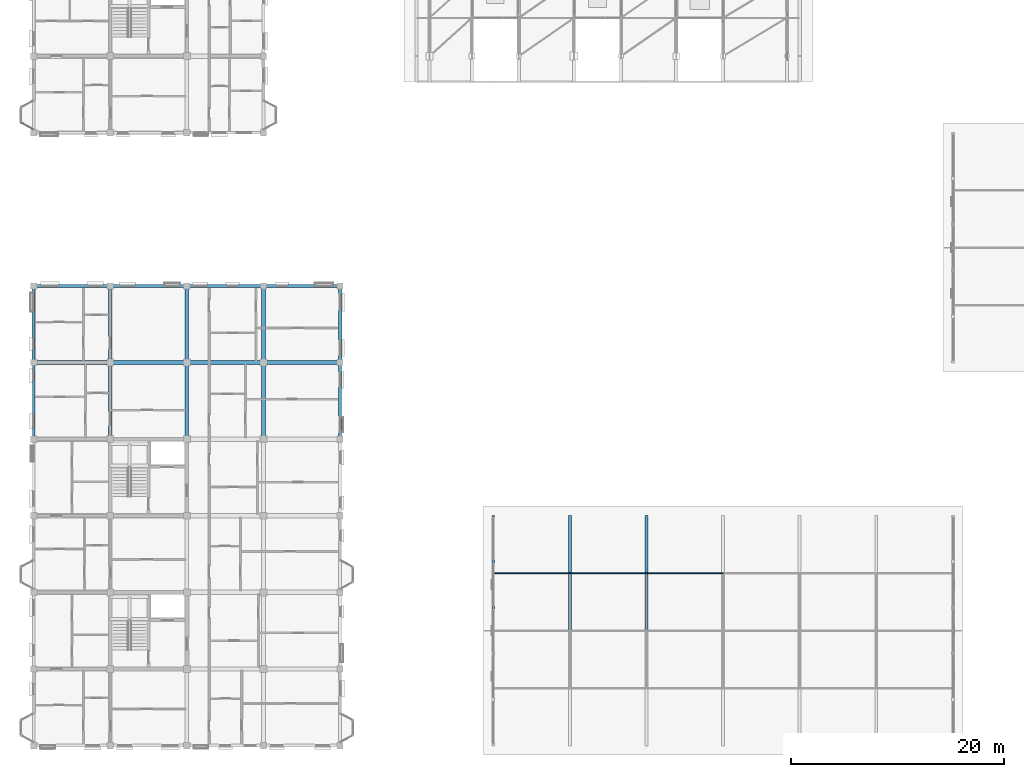
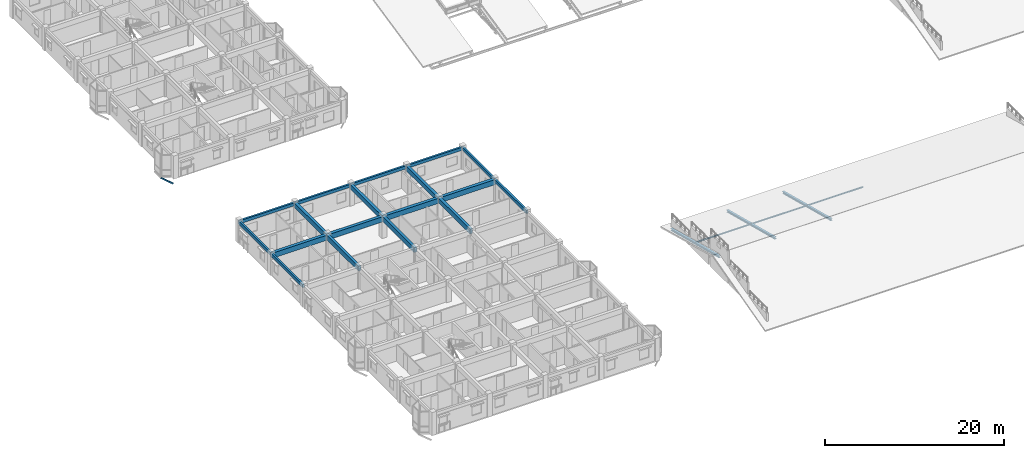
# One storey, part 16 of 124: 18 beams, 7 members.
"""IFC4 building model written with IfcOpenShell, lengths in metres."""

import ifcopenshell
import ifcopenshell.guid

model = None  # the IFC model being written
_history = None  # IfcOwnerHistory: only IFC2X3 demands one
_inside = {}  # id of a spatial element -> (the spatial element, [elements in it])
_under = {}  # id of a project, library or spatial element -> (it, [spatial elements below it])
_declared = {}  # id of a project -> (the project, [libraries it declares])
_typed = {}  # id of a type object -> (the type object, [elements of that type])
_made_of = {}  # id of a material, layer set ... -> (it, [elements and type objects made of it])


def new_model(schema):
    """Start an empty IFC model of exactly this schema.

    Asked for "IFC4X3", IfcOpenShell would pick the latest addendum, in which some entities
    have other attributes; the version numbers below select the first issue.
    IFC2X3 requires an IfcOwnerHistory on every rooted entity: one is made here for all.
    """
    global model, _history
    if schema == "IFC4X3":
        model = ifcopenshell.file(schema_version=(4, 3, 0, 0))
    else:
        model = ifcopenshell.file(schema=schema)
    _inside.clear()
    _under.clear()
    _declared.clear()
    _typed.clear()
    _made_of.clear()
    _history = None
    if model.schema == "IFC2X3":
        org = make("IfcOrganization", Name="unknown")
        user = make(
            "IfcPersonAndOrganization",
            ThePerson=make("IfcPerson", FamilyName="unknown"),
            TheOrganization=org,
        )
        app = make(
            "IfcApplication",
            ApplicationDeveloper=org,
            Version="unknown",
            ApplicationFullName="unknown",
            ApplicationIdentifier="unknown",
        )
        _history = make(
            "IfcOwnerHistory",
            OwningUser=user,
            OwningApplication=app,
            ChangeAction="ADDED",
            CreationDate=0,
        )
    return model


def make(cls, **values):
    """One entity of the class cls with the attributes given. An attribute that is None is left unset."""
    return model.create_entity(
        cls, **{name: value for name, value in values.items() if value is not None}
    )


def rooted(cls, **values):
    """An entity with a GlobalId (a new one), such as an element, a storey or a relation."""
    return make(cls, GlobalId=ifcopenshell.guid.new(), OwnerHistory=_history, **values)


def si_unit(unit_type, name, prefix=None):
    """IfcSIUnit, for example si_unit("LENGTHUNIT", "METRE", prefix="MILLI")."""
    return make("IfcSIUnit", UnitType=unit_type, Prefix=prefix, Name=name)


def assignment(units):
    """IfcUnitAssignment: the units of a project."""
    return None if units is None else make("IfcUnitAssignment", Units=units)


def point(xyz):
    """IfcCartesianPoint."""
    return None if xyz is None else make("IfcCartesianPoint", Coordinates=xyz)


def direction(xyz):
    """IfcDirection."""
    return None if xyz is None else make("IfcDirection", DirectionRatios=xyz)


def frame(location, z_axis=None, x_axis=None):
    """IfcAxis2Placement3D, a coordinate frame: its origin and axes. An axis left out is left unset."""
    return make(
        "IfcAxis2Placement3D",
        Location=point(location),
        Axis=direction(z_axis),
        RefDirection=direction(x_axis),
    )


def frame_2d(location, x_axis=None):
    """IfcAxis2Placement2D, a coordinate frame in the plane: its origin and x axis."""
    return make(
        "IfcAxis2Placement2D", Location=point(location), RefDirection=direction(x_axis)
    )


def origin():
    """The frame at (0, 0, 0) with its axes left unset."""
    return frame((0.0, 0.0, 0.0))


def origin_2d():
    """The frame at (0, 0) in the plane with its x axis left unset."""
    return frame_2d((0.0, 0.0))


def place(relative_to, where):
    """IfcLocalPlacement: puts the frame where relative to a parent placement (None: the world)."""
    return make(
        "IfcLocalPlacement", PlacementRelTo=relative_to, RelativePlacement=where
    )


def context(
    kind, dimensions, precision=None, world=None, true_north=None, identifier=None
):
    """IfcGeometricRepresentationContext, for example the 3D "Model" context."""
    return make(
        "IfcGeometricRepresentationContext",
        ContextIdentifier=identifier,
        ContextType=kind,
        CoordinateSpaceDimension=dimensions,
        Precision=precision,
        WorldCoordinateSystem=world,
        TrueNorth=true_north,
    )


def subcontext(parent, identifier, kind, view, scale=None):
    """IfcGeometricRepresentationSubContext, for example "Body" below "Model"."""
    return make(
        "IfcGeometricRepresentationSubContext",
        ContextIdentifier=identifier,
        ContextType=kind,
        ParentContext=parent,
        TargetScale=scale,
        TargetView=view,
    )


def project(units=None, contexts=None):
    """IfcProject with its units and contexts."""
    return rooted(
        "IfcProject",
        Name="project",
        RepresentationContexts=contexts,
        UnitsInContext=assignment(units),
    )


def spatial(cls, under=None, at=None, **own):
    """A site, building, storey or space (cls), placed at a placement, below another one or the project."""
    s = rooted(cls, ObjectPlacement=at, **own)
    if under is not None:
        _under.setdefault(under.id(), (under, []))[1].append(s)
    return s


def profile(cls, at=None, kind="AREA", **sizes):
    """A parametric profile (cls). Its sizes go by their IFC names, for example OverallWidth=200.0."""
    return make(cls, ProfileType=kind, Position=at, **sizes)


def rectangle(**sizes):
    """IfcRectangleProfileDef."""
    return profile("IfcRectangleProfileDef", **sizes)


def hollow_rectangle(**sizes):
    """IfcRectangleHollowProfileDef."""
    return profile("IfcRectangleHollowProfileDef", **sizes)


def i_section(**sizes):
    """IfcIShapeProfileDef."""
    return profile("IfcIShapeProfileDef", **sizes)


def extrude(swept, where, along, depth):
    """IfcExtrudedAreaSolid: the profile swept, set in the frame where, extruded along a direction by depth."""
    return make(
        "IfcExtrudedAreaSolid",
        SweptArea=swept,
        Position=where,
        ExtrudedDirection=direction(along),
        Depth=depth,
    )


def shape(context_of_items, identifier, shape_type, items):
    """IfcShapeRepresentation: the items that make up one representation, for example the "Body"."""
    return make(
        "IfcShapeRepresentation",
        ContextOfItems=context_of_items,
        RepresentationIdentifier=identifier,
        RepresentationType=shape_type,
        Items=items,
    )


def material(Name=None, Category=None):
    """IfcMaterial."""
    return make("IfcMaterial", Name=Name, Category=Category)


def material_profile(
    of_material, cross_section, Name=None, Category=None, Priority=None
):
    """IfcMaterialProfile: a cross section and its material."""
    return make(
        "IfcMaterialProfile",
        Name=Name,
        Material=of_material,
        Profile=cross_section,
        Priority=Priority,
        Category=Category,
    )


def profile_set(profiles, Name=None, composite=None):
    """IfcMaterialProfileSet."""
    return make(
        "IfcMaterialProfileSet",
        Name=Name,
        MaterialProfiles=profiles,
        CompositeProfile=composite,
    )


def made_of(thing, what):
    """Note that an element or type object is made of a material, layer set ...; save() writes the relation."""
    if what is not None:
        _made_of.setdefault(what.id(), (what, []))[1].append(thing)
    return thing


def type_object(cls, material=None, **own):
    """A type object (cls), such as IfcWallType, which elements share."""
    return made_of(rooted(cls, **own), material)


def element(
    cls,
    number,
    at=None,
    inside=None,
    cuts=None,
    type_object=None,
    material=None,
    context=None,
    identifier="Body",
    shape_type=None,
    held_by="IfcProductDefinitionShape",
    body=None,
    shapes=None,
    **own,
):
    """One element of the class cls, such as IfcWall. Its Tag is "e" and its number.

    at: its placement. inside: the storey or other place that contains it. cuts: it is an
    opening in that element (IfcRelVoidsElement). A single representation is given by context,
    identifier, shape_type and body (its items); several are given by shapes. held_by: the class
    of the entity that holds the representations. save() writes the other relations.
    """
    e = rooted(cls, Tag="e%d" % number, ObjectPlacement=at, **own)
    if body is not None:
        shapes = [shape(context, identifier, shape_type, body)]
    if shapes is not None:
        e.Representation = make(held_by, Representations=shapes)
    if inside is not None:
        _inside.setdefault(inside.id(), (inside, []))[1].append(e)
    if cuts is not None:
        rooted(
            "IfcRelVoidsElement", RelatingBuildingElement=cuts, RelatedOpeningElement=e
        )
    if type_object is not None:
        _typed.setdefault(type_object.id(), (type_object, []))[1].append(e)
    return made_of(e, material)


def aggregate(whole, parts):
    """IfcRelAggregates: a whole, such as a stair, and the parts it consists of."""
    return rooted("IfcRelAggregates", RelatingObject=whole, RelatedObjects=parts)


def save(model, path):
    """Write the relations noted so far, then the file.

    IfcRelAggregates (storeys below a building ...), IfcRelContainedInSpatialStructure (elements
    in a storey), IfcRelDefinesByType, IfcRelAssociatesMaterial and IfcRelDeclares: one each for
    every whole, place, type object, material and project.
    """
    for whole, parts in _under.values():
        aggregate(whole, parts)
    for where, things in _inside.values():
        rooted(
            "IfcRelContainedInSpatialStructure",
            RelatedElements=things,
            RelatingStructure=where,
        )
    for kind, things in _typed.values():
        rooted("IfcRelDefinesByType", RelatedObjects=things, RelatingType=kind)
    for what, things in _made_of.values():
        rooted("IfcRelAssociatesMaterial", RelatedObjects=things, RelatingMaterial=what)
    for by, libraries in _declared.values():
        rooted("IfcRelDeclares", RelatingContext=by, RelatedDefinitions=libraries)
    model.write(path)


model = new_model("IFC4")

# Units and contexts
model_context = context("Model", 3, precision=1e-05, world=origin(), true_north=direction((0.0, 1.0)))
body_context = subcontext(model_context, "Body", "Model", "MODEL_VIEW")
ifc_project = project(units=[si_unit("LENGTHUNIT", "METRE"), si_unit("AREAUNIT", "SQUARE_METRE"), si_unit("VOLUMEUNIT", "CUBIC_METRE"), si_unit("PLANEANGLEUNIT", "RADIAN"), si_unit("MASSUNIT", "GRAM", prefix="KILO"), si_unit("THERMODYNAMICTEMPERATUREUNIT", "KELVIN"), si_unit("POWERUNIT", "WATT")], contexts=[model_context])

# Site, building, storey
site_placement = place(None, origin())
site = spatial("IfcSite", under=ifc_project, at=site_placement, CompositionType="ELEMENT")
building_placement = place(site_placement, origin())
building = spatial("IfcBuilding", under=site, at=building_placement, Name="Tavuni Mirador Residences", CompositionType="ELEMENT")
storey_placement = place(building_placement, frame((0.0, 0.0, 7.64990234375)))
storey = spatial("IfcBuildingStorey", under=building, at=storey_placement, Name="L02", CompositionType="ELEMENT", Elevation=7.64990234375)

# Beams
ifc_material_1 = material(Name="Precast concrete C40/50", Category="concrete")
ifc_material_profile_1 = material_profile(ifc_material_1, rectangle(XDim=0.35009765625, YDim=0.64990234375, at=origin_2d()), Name="PC 350x650", Category="concrete")
ifc_profile_set_1 = profile_set([ifc_material_profile_1], Name="Precast concrete C40/50")
beam_type_1 = type_object("IfcBeamType", Name="BT-B650", PredefinedType="BEAM", material=ifc_profile_set_1)
for number, where, z_axis, x_axis, name in (
    (1, (10.800048828125, 36.0, 2.545166015625), (0.0, 1.0, 0.0), (-1.0, 0.0, 0.0), "BMY-BLK-A-L02-01-04"),
    (2, (10.800048828125, 43.199951171875, 2.545166015625), (0.0, 1.0, 0.0), (-1.0, 0.0, 0.0), "BMY-BLK-A-L02-01-05"),
    (3, (18.0, 36.0, 2.545166015625), (0.0, 1.0, 0.0), (-1.0, 0.0, 0.0), "BMY-BLK-A-L02-02-04"),
    (4, (18.0, 43.199951171875, 2.545166015625), (0.0, 1.0, 0.0), (-1.0, 0.0, 0.0), "BMY-BLK-A-L02-02-05"),
    (5, (25.199951171875, 36.0, 2.545166015625), (0.0, 1.0, 0.0), (-1.0, 0.0, 0.0), "BMY-BLK-A-L02-03-04"),
    (6, (25.199951171875, 43.199951171875, 2.545166015625), (0.0, 1.0, 0.0), (-1.0, 0.0, 0.0), "BMY-BLK-A-L02-03-05"),
):
    element("IfcBeam", number, at=place(storey_placement, frame(where, z_axis=z_axis, x_axis=x_axis)), inside=storey, type_object=beam_type_1, Name=name, PredefinedType="BEAM", context=body_context, shape_type="SweptSolid", body=[
        extrude(rectangle(XDim=0.35009765625, YDim=0.64990234375, at=origin_2d()), origin(), (0.0, 0.0, 1.0), 7.199951171875),
    ])
ifc_material_profile_2 = material_profile(ifc_material_1, rectangle(XDim=0.39990234375, YDim=0.699951171875, at=origin_2d()), Name="PC 400x700", Category="concrete")
ifc_profile_set_2 = profile_set([ifc_material_profile_2], Name="Precast concrete C40/50")
beam_type_2 = type_object("IfcBeamType", Name="BT-B700", PredefinedType="BEAM", material=ifc_profile_set_2)
for number, where, z_axis, x_axis, name in (
    (7, (3.60009765625, 43.199951171875, 2.52001953125), (1.0, 0.0, 0.0), (0.0, 1.0, 0.0), "BMX-BLK-A-L02-00-05"),
    (8, (10.800048828125, 43.199951171875, 2.52001953125), (1.0, 0.0, 0.0), (0.0, 1.0, 0.0), "BMX-BLK-A-L02-01-05"),
    (9, (18.0, 43.199951171875, 2.52001953125), (1.0, 0.0, 0.0), (0.0, 1.0, 0.0), "BMX-BLK-A-L02-02-05"),
    (10, (25.199951171875, 43.199951171875, 2.52001953125), (1.0, 0.0, 0.0), (0.0, 1.0, 0.0), "BMX-BLK-A-L02-03-05"),
):
    element("IfcBeam", number, at=place(storey_placement, frame(where, z_axis=z_axis, x_axis=x_axis)), inside=storey, type_object=beam_type_2, Name=name, PredefinedType="BEAM", context=body_context, shape_type="SweptSolid", body=[
        extrude(rectangle(XDim=0.39990234375, YDim=0.699951171875, at=origin_2d()), origin(), (0.0, 0.0, 1.0), 7.199951171875),
    ])
ifc_material_profile_3 = material_profile(ifc_material_1, rectangle(XDim=0.25, YDim=0.419921875, at=origin_2d()), Name="PC 250x420", Category="concrete")
ifc_profile_set_3 = profile_set([ifc_material_profile_3], Name="Precast concrete C40/50")
beam_type_3 = type_object("IfcBeamType", Name="BT-SP420", PredefinedType="SPANDREL", material=ifc_profile_set_3)
for number, where, z_axis, x_axis, name in (
    (11, (3.60009765625, 50.39990234375, 2.66015625), (1.0, 0.0, 0.0), (0.0, 1.0, 0.0), "BMX-BLK-A-L02-00-06"),
    (12, (10.800048828125, 50.39990234375, 2.66015625), (1.0, 0.0, 0.0), (0.0, 1.0, 0.0), "BMX-BLK-A-L02-01-06"),
    (13, (18.0, 50.39990234375, 2.66015625), (1.0, 0.0, 0.0), (0.0, 1.0, 0.0), "BMX-BLK-A-L02-02-06"),
    (14, (25.199951171875, 50.39990234375, 2.66015625), (1.0, 0.0, 0.0), (0.0, 1.0, 0.0), "BMX-BLK-A-L02-03-06"),
    (15, (3.60009765625, 36.0, 2.66015625), (0.0, 1.0, 0.0), (-1.0, 0.0, 0.0), "BMY-BLK-A-L02-00-04"),
    (16, (3.60009765625, 43.199951171875, 2.66015625), (0.0, 1.0, 0.0), (-1.0, 0.0, 0.0), "BMY-BLK-A-L02-00-05"),
    (17, (32.39990234375, 36.0, 2.66015625), (0.0, 1.0, 0.0), (-1.0, 0.0, 0.0), "BMY-BLK-A-L02-04-04"),
    (18, (32.39990234375, 43.199951171875, 2.66015625), (0.0, 1.0, 0.0), (-1.0, 0.0, 0.0), "BMY-BLK-A-L02-04-05"),
):
    element("IfcBeam", number, at=place(storey_placement, frame(where, z_axis=z_axis, x_axis=x_axis)), inside=storey, type_object=beam_type_3, Name=name, PredefinedType="SPANDREL", context=body_context, shape_type="SweptSolid", body=[
        extrude(rectangle(XDim=0.25, YDim=0.419921875, at=origin_2d()), origin(), (0.0, 0.0, 1.0), 7.199951171875),
    ])

# Members
ifc_material_2 = material(Name="Structural steel S355", Category="steel")
ifc_material_profile_4 = material_profile(ifc_material_2, hollow_rectangle(XDim=0.10009765625, YDim=0.179931640625, WallThickness=0.008056640625, at=origin_2d()), Name="RHS 180x100x8.0", Category="steel")
ifc_profile_set_4 = profile_set([ifc_material_profile_4], Name="Structural steel S355")
member_type_1 = type_object("IfcMemberType", Name="MT-BR-RHS180", PredefinedType="BRACE", material=ifc_profile_set_4)
member_placement = place(storey_placement, frame((3.60009765625, 65.10009765625, -1.0498046875), z_axis=(-0.754295168209, 0.414739593098, 0.508949770738), x_axis=(-0.481809264355, -0.876276116747, 0.0)))
element("IfcMember", 19, at=member_placement, inside=storey, type_object=member_type_1, Name="MBRK-MIR-B-W1-L02-1", PredefinedType="BRACE", context=body_context, shape_type="SweptSolid", body=[
    extrude(hollow_rectangle(XDim=0.10009765625, YDim=0.179931640625, WallThickness=0.008056640625, at=origin_2d()), origin(), (0.0, 0.0, 1.0), 1.591064453125),
])
ifc_material_profile_5 = material_profile(ifc_material_2, i_section(OverallWidth=0.280029296875, OverallDepth=0.27001953125, WebThickness=0.008056640625, FlangeThickness=0.012939453125, FilletRadius=0.02392578125, at=origin_2d()), Name="HEA 280", Category="steel")
ifc_profile_set_5 = profile_set([ifc_material_profile_5], Name="Structural steel S355")
member_type_2 = type_object("IfcMemberType", Name="MT-CH-HEA280", PredefinedType="CHORD", material=ifc_profile_set_5)
for number, where, z_axis, x_axis, name in (
    (20, (46.800048828125, 18.0, 2.4501953125), (0.0, 0.967996110632, -0.250965196393), (-1.0, 0.0, 0.0), "RAF-PAV-SHOP-00-N"),
    (21, (54.0, 18.0, 2.4501953125), (0.0, 0.967996110632, -0.250965196393), (-1.0, 0.0, 0.0), "RAF-PAV-SHOP-01-N"),
    (22, (61.199951171875, 18.0, 2.4501953125), (0.0, 0.967996110632, -0.250965196393), (-1.0, 0.0, 0.0), "RAF-PAV-SHOP-02-N"),
):
    element("IfcMember", number, at=place(storey_placement, frame(where, z_axis=z_axis, x_axis=x_axis)), inside=storey, type_object=member_type_2, Name=name, PredefinedType="CHORD", context=body_context, shape_type="SweptSolid", body=[
        extrude(i_section(OverallWidth=0.280029296875, OverallDepth=0.27001953125, WebThickness=0.008056640625, FlangeThickness=0.012939453125, FilletRadius=0.02392578125, at=origin_2d()), origin(), (0.0, 0.0, 1.0), 11.1572265625),
    ])
ifc_material_profile_6 = material_profile(ifc_material_2, i_section(OverallWidth=0.091064453125, OverallDepth=0.179931640625, WebThickness=0.00537109375, FlangeThickness=0.008056640625, FilletRadius=0.009033203125, at=origin_2d()), Name="IPE 180", Category="steel")
ifc_profile_set_6 = profile_set([ifc_material_profile_6], Name="Structural steel S355")
member_type_3 = type_object("IfcMemberType", Name="MT-PR-IPE180", PredefinedType="PURLIN", material=ifc_profile_set_6)
for number, where, z_axis, x_axis, name in (
    (23, (46.800048828125, 23.39990234375, 1.114990234375), (1.0, 0.0, 0.0), (0.0, 1.0, 0.0), "RPUR-PAV-SHOP-75-00"),
    (24, (54.0, 23.39990234375, 1.114990234375), (1.0, 0.0, 0.0), (0.0, 1.0, 0.0), "RPUR-PAV-SHOP-75-01"),
    (25, (61.199951171875, 23.39990234375, 1.114990234375), (1.0, 0.0, 0.0), (0.0, 1.0, 0.0), "RPUR-PAV-SHOP-75-02"),
):
    element("IfcMember", number, at=place(storey_placement, frame(where, z_axis=z_axis, x_axis=x_axis)), inside=storey, type_object=member_type_3, Name=name, PredefinedType="PURLIN", context=body_context, shape_type="SweptSolid", body=[
        extrude(i_section(OverallWidth=0.091064453125, OverallDepth=0.179931640625, WebThickness=0.00537109375, FlangeThickness=0.008056640625, FilletRadius=0.009033203125, at=origin_2d()), origin(), (0.0, 0.0, 1.0), 7.199951171875),
    ])

save(model, "model.ifc")
